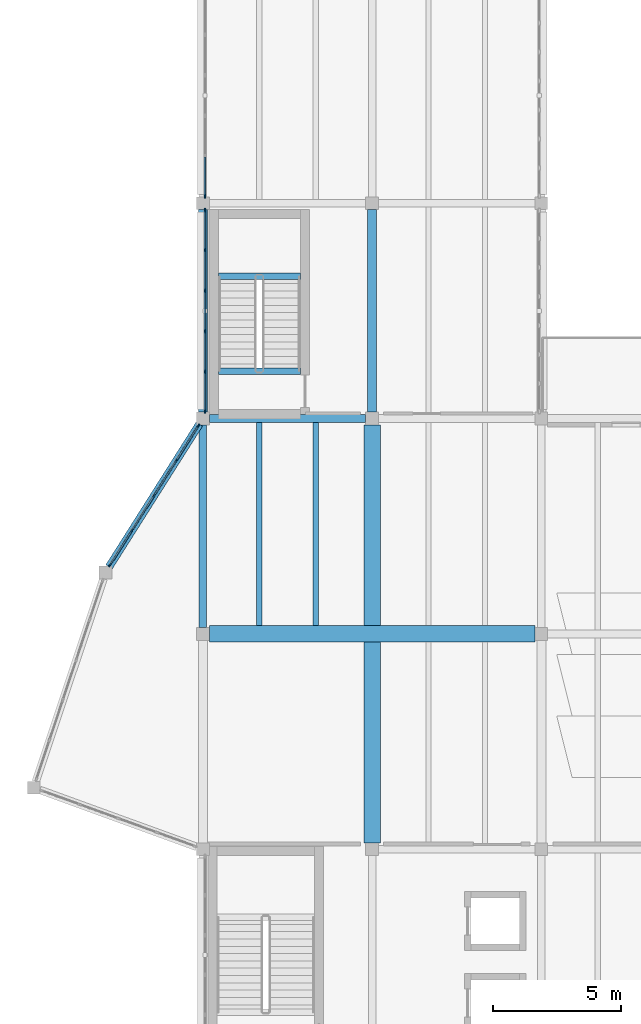
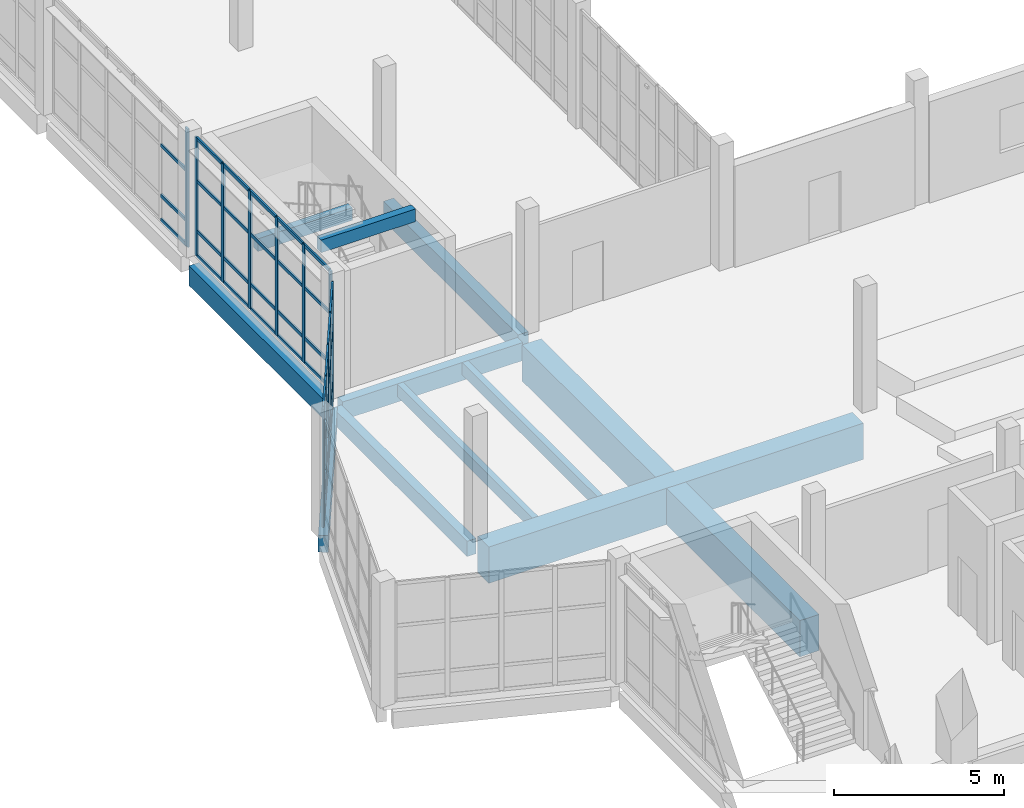
# One storey, part 23 of 76: 51 members, 11 beams, 3 elements without a shape of their own.
"""IFC4 building model written with IfcOpenShell, lengths in metres."""

from ifc_helpers import new_model, si_unit, direction, frame, origin, origin_2d, place, context, subcontext, project, spatial, rectangle, extrude, material, material_profile, profile_set, type_object, element, aggregate, save


model = new_model("IFC4")

# Units and contexts
model_context = context("Model", 3, precision=1e-05, world=origin(), true_north=direction((0.0, 1.0)))
body_context = subcontext(model_context, "Body", "Model", "MODEL_VIEW")
ifc_project = project(units=[si_unit("LENGTHUNIT", "METRE"), si_unit("AREAUNIT", "SQUARE_METRE"), si_unit("VOLUMEUNIT", "CUBIC_METRE"), si_unit("PLANEANGLEUNIT", "RADIAN"), si_unit("MASSUNIT", "GRAM", prefix="KILO")], contexts=[model_context])

# Site, building, storey
site_placement = place(None, origin())
site = spatial("IfcSite", under=ifc_project, at=site_placement, CompositionType="ELEMENT")
building_placement = place(site_placement, origin())
building = spatial("IfcBuilding", under=site, at=building_placement, Name="Qaldarim Faculty of Natural and Applied Sciences", CompositionType="ELEMENT")
storey_placement = place(building_placement, frame((0.0, 0.0, 9.89990234375)))
storey = spatial("IfcBuildingStorey", under=building, at=storey_placement, Name="L02", CompositionType="ELEMENT", Elevation=9.89990234375)

# Beams
ifc_material_1 = material(Name="Concrete C40/50", Category="concrete")
ifc_material_profile_1 = material_profile(ifc_material_1, rectangle(XDim=0.300048828125, YDim=0.550048828125, at=origin_2d()), Name="RC-B300x550")
ifc_profile_set_1 = profile_set([ifc_material_profile_1], Name="Concrete C40/50")
beam_type_1 = type_object("IfcBeamType", Name="FloorBeam-RC300x550", PredefinedType="BEAM", material=ifc_profile_set_1)
beam_1_placement = place(storey_placement, frame((151.800048828125, 75.85009765625, -0.574951171875), z_axis=(0.0, 1.0, 0.0), x_axis=(-1.0, 0.0, 0.0)))
element("IfcBeam", 1, at=beam_1_placement, inside=storey, type_object=beam_type_1, Name="Beam RC-B300x550 L01 X24/Y10-Y11", PredefinedType="BEAM", context=body_context, shape_type="SweptSolid", body=[
    extrude(rectangle(XDim=0.300048828125, YDim=0.550048828125, at=origin_2d()), origin(), (0.0, 0.0, 1.0), 7.89990234375),
])
ifc_material_profile_2 = material_profile(ifc_material_1, rectangle(XDim=0.199951171875, YDim=0.449951171875, at=origin_2d()), Name="RC-J200x450")
ifc_profile_set_2 = profile_set([ifc_material_profile_2], Name="Concrete C40/50")
beam_type_2 = type_object("IfcBeamType", Name="LabJoist-RC200x450", PredefinedType="JOIST", material=ifc_profile_set_2)
for number, where, z_axis, x_axis, name in (
    (2, (154.0, 75.925048828125, -0.52490234375), (0.0, 1.0, 0.0), (-1.0, 0.0, 0.0), "Laboratory joist L01 bay X24Y10-1"),
    (3, (156.199951171875, 75.925048828125, -0.52490234375), (0.0, 1.0, 0.0), (-1.0, 0.0, 0.0), "Laboratory joist L01 bay X24Y10-2"),
):
    element("IfcBeam", number, at=place(storey_placement, frame(where, z_axis=z_axis, x_axis=x_axis)), inside=storey, type_object=beam_type_2, Name=name, PredefinedType="JOIST", context=body_context, shape_type="SweptSolid", body=[
        extrude(rectangle(XDim=0.199951171875, YDim=0.449951171875, at=origin_2d()), origin(), (0.0, 0.0, 1.0), 7.925048828125),
    ])
ifc_material_profile_3 = material_profile(ifc_material_1, rectangle(XDim=0.25, YDim=0.449951171875, at=origin_2d()), Name="RC-LN250x450")
ifc_profile_set_3 = profile_set([ifc_material_profile_3], Name="Concrete C40/50")
beam_type_3 = type_object("IfcBeamType", Name="LandingSupportBeam-RC250x450", PredefinedType="BEAM", material=ifc_profile_set_3)
for number, where, z_axis, x_axis, name in (
    (4, (152.39990234375, 89.554931640625, 1.815185546875), (1.0, 0.0, 0.0), (0.0, 1.0, 0.0), "Stair landing support beam ST-C2 L02"),
    (5, (152.39990234375, 85.85009765625, 4.01513671875), (1.0, 0.0, 0.0), (0.0, 1.0, 0.0), "Stair arrival support beam ST-C2 L02"),
):
    element("IfcBeam", number, at=place(storey_placement, frame(where, z_axis=z_axis, x_axis=x_axis)), inside=storey, type_object=beam_type_3, Name=name, PredefinedType="BEAM", context=body_context, shape_type="SweptSolid", body=[
        extrude(rectangle(XDim=0.25, YDim=0.449951171875, at=origin_2d()), origin(), (0.0, 0.0, 1.0), 3.2001953125),
    ])

# Curtain wall, members
ifc_material_2 = material(Name="Anodised aluminium AW-6063", Category="aluminium")
curtain_wall_type = type_object("IfcCurtainWallType", Name="CurtainWallSystem-M1600", PredefinedType="USERDEFINED", material=ifc_material_2)
curtain_wall_1_placement = place(storey_placement, origin())
curtain_wall_1 = element("IfcCurtainWall", 6, at=curtain_wall_1_placement, inside=storey, type_object=curtain_wall_type, Name="Curtain wall CW-L02-W-X24Y11", ObjectType="UNITISED FACADE", PredefinedType="USERDEFINED")
ifc_material_profile_4 = material_profile(ifc_material_2, rectangle(XDim=0.06005859375, YDim=0.14990234375, at=origin_2d()), Name="ALU-M60x150")
ifc_profile_set_4 = profile_set([ifc_material_profile_4], Name="Anodised aluminium AW-6063")
member_type_1 = type_object("IfcMemberType", Name="Mullion-ALU60x150", PredefinedType="MULLION", material=ifc_profile_set_4)
member_1_placement = place(storey_placement, frame((151.8798828125, 92.125, 0.0), z_axis=(0.0, 0.0, 1.0), x_axis=(1.0, 0.0, 0.0)))
member_1 = element("IfcMember", 7, at=member_1_placement, type_object=member_type_1, Name="Mullion 1 of CW-L02-W-X24Y11", PredefinedType="MULLION", context=body_context, shape_type="SweptSolid", body=[
    extrude(rectangle(XDim=0.06005859375, YDim=0.14990234375, at=origin_2d()), origin(), (0.0, 0.0, 1.0), 4.239990234375),
])
member_2_placement = place(storey_placement, frame((151.8798828125, 90.572998046875, 0.0), z_axis=(0.0, 0.0, 1.0), x_axis=(1.0, 0.0, 0.0)))
member_2 = element("IfcMember", 8, at=member_2_placement, type_object=member_type_1, Name="Mullion 2 of CW-L02-W-X24Y11", PredefinedType="MULLION", context=body_context, shape_type="SweptSolid", body=[
    extrude(rectangle(XDim=0.06005859375, YDim=0.14990234375, at=origin_2d()), origin(), (0.0, 0.0, 1.0), 4.239990234375),
])
member_3_placement = place(storey_placement, frame((151.8798828125, 88.990966796875, 0.0), z_axis=(0.0, 0.0, 1.0), x_axis=(1.0, 0.0, 0.0)))
member_3 = element("IfcMember", 9, at=member_3_placement, type_object=member_type_1, Name="Mullion 3 of CW-L02-W-X24Y11", PredefinedType="MULLION", context=body_context, shape_type="SweptSolid", body=[
    extrude(rectangle(XDim=0.06005859375, YDim=0.14990234375, at=origin_2d()), origin(), (0.0, 0.0, 1.0), 4.239990234375),
])
member_4_placement = place(storey_placement, frame((151.8798828125, 87.408935546875, 0.0), z_axis=(0.0, 0.0, 1.0), x_axis=(1.0, 0.0, 0.0)))
member_4 = element("IfcMember", 10, at=member_4_placement, type_object=member_type_1, Name="Mullion 4 of CW-L02-W-X24Y11", PredefinedType="MULLION", context=body_context, shape_type="SweptSolid", body=[
    extrude(rectangle(XDim=0.06005859375, YDim=0.14990234375, at=origin_2d()), origin(), (0.0, 0.0, 1.0), 4.239990234375),
])
member_5_placement = place(storey_placement, frame((151.8798828125, 85.826904296875, 0.0), z_axis=(0.0, 0.0, 1.0), x_axis=(1.0, 0.0, 0.0)))
member_5 = element("IfcMember", 11, at=member_5_placement, type_object=member_type_1, Name="Mullion 5 of CW-L02-W-X24Y11", PredefinedType="MULLION", context=body_context, shape_type="SweptSolid", body=[
    extrude(rectangle(XDim=0.06005859375, YDim=0.14990234375, at=origin_2d()), origin(), (0.0, 0.0, 1.0), 4.239990234375),
])
member_6_placement = place(storey_placement, frame((151.8798828125, 84.27490234375, 0.0), z_axis=(0.0, 0.0, 1.0), x_axis=(1.0, 0.0, 0.0)))
member_6 = element("IfcMember", 12, at=member_6_placement, type_object=member_type_1, Name="Mullion 6 of CW-L02-W-X24Y11", PredefinedType="MULLION", context=body_context, shape_type="SweptSolid", body=[
    extrude(rectangle(XDim=0.06005859375, YDim=0.14990234375, at=origin_2d()), origin(), (0.0, 0.0, 1.0), 4.239990234375),
])

# Curtain wall, member
curtain_wall_2_placement = place(storey_placement, origin())
curtain_wall_2 = element("IfcCurtainWall", 13, at=curtain_wall_2_placement, inside=storey, type_object=curtain_wall_type, Name="Curtain wall CW-L02-W-X24Y12", ObjectType="UNITISED FACADE", PredefinedType="USERDEFINED")
member_7_placement = place(storey_placement, frame((151.8798828125, 92.675048828125, 0.0), z_axis=(0.0, 0.0, 1.0), x_axis=(1.0, 0.0, 0.0)))
member_7 = element("IfcMember", 14, at=member_7_placement, type_object=member_type_1, Name="Mullion 6 of CW-L02-W-X24Y12", PredefinedType="MULLION", context=body_context, shape_type="SweptSolid", body=[
    extrude(rectangle(XDim=0.06005859375, YDim=0.14990234375, at=origin_2d()), origin(), (0.0, 0.0, 1.0), 4.239990234375),
])

# Curtain wall, members
curtain_wall_3_placement = place(storey_placement, origin())
curtain_wall_3 = element("IfcCurtainWall", 15, at=curtain_wall_3_placement, inside=storey, type_object=curtain_wall_type, Name="Curtain wall CW-PROW-L02-1", ObjectType="UNITISED FACADE", PredefinedType="USERDEFINED")
member_8_placement = place(storey_placement, frame((151.623779296875, 83.7197265625, 0.0), z_axis=(0.0, 0.0, 1.0), x_axis=(0.844608368004, -0.535384632481, 0.0)))
member_8 = element("IfcMember", 16, at=member_8_placement, type_object=member_type_1, Name="Mullion 1 of CW-PROW-L02-1", PredefinedType="MULLION", context=body_context, shape_type="SweptSolid", body=[
    extrude(rectangle(XDim=0.06005859375, YDim=0.14990234375, at=origin_2d()), origin(), (0.0, 0.0, 1.0), 4.239990234375),
])
member_9_placement = place(storey_placement, frame((150.77001953125, 82.37255859375, 0.0), z_axis=(0.0, 0.0, 1.0), x_axis=(0.844608368004, -0.535384632481, 0.0)))
member_9 = element("IfcMember", 17, at=member_9_placement, type_object=member_type_1, Name="Mullion 2 of CW-PROW-L02-1", PredefinedType="MULLION", context=body_context, shape_type="SweptSolid", body=[
    extrude(rectangle(XDim=0.06005859375, YDim=0.14990234375, at=origin_2d()), origin(), (0.0, 0.0, 1.0), 4.239990234375),
])
member_10_placement = place(storey_placement, frame((149.89990234375, 81.0, 0.0), z_axis=(0.0, 0.0, 1.0), x_axis=(0.844608368004, -0.535384632481, 0.0)))
member_10 = element("IfcMember", 18, at=member_10_placement, type_object=member_type_1, Name="Mullion 3 of CW-PROW-L02-1", PredefinedType="MULLION", context=body_context, shape_type="SweptSolid", body=[
    extrude(rectangle(XDim=0.06005859375, YDim=0.14990234375, at=origin_2d()), origin(), (0.0, 0.0, 1.0), 4.239990234375),
])
member_11_placement = place(storey_placement, frame((149.030029296875, 79.62744140625, 0.0), z_axis=(0.0, 0.0, 1.0), x_axis=(0.844608368004, -0.535384632481, 0.0)))
member_11 = element("IfcMember", 19, at=member_11_placement, type_object=member_type_1, Name="Mullion 4 of CW-PROW-L02-1", PredefinedType="MULLION", context=body_context, shape_type="SweptSolid", body=[
    extrude(rectangle(XDim=0.06005859375, YDim=0.14990234375, at=origin_2d()), origin(), (0.0, 0.0, 1.0), 4.239990234375),
])
member_12_placement = place(storey_placement, frame((148.176025390625, 78.2802734375, 0.0), z_axis=(0.0, 0.0, 1.0), x_axis=(0.844608368004, -0.535384632481, 0.0)))
member_12 = element("IfcMember", 20, at=member_12_placement, type_object=member_type_1, Name="Mullion 5 of CW-PROW-L02-1", PredefinedType="MULLION", context=body_context, shape_type="SweptSolid", body=[
    extrude(rectangle(XDim=0.06005859375, YDim=0.14990234375, at=origin_2d()), origin(), (0.0, 0.0, 1.0), 4.239990234375),
])

# Beams
ifc_material_profile_5 = material_profile(ifc_material_1, rectangle(XDim=0.300048828125, YDim=0.64990234375, at=origin_2d()), Name="RC-B300x650")
ifc_profile_set_5 = profile_set([ifc_material_profile_5], Name="Concrete C40/50")
beam_type_4 = type_object("IfcBeamType", Name="PrimaryBeam-RC300x650", PredefinedType="BEAM", material=ifc_profile_set_5)
beam_2_placement = place(storey_placement, frame((152.050048828125, 84.0, -0.625), z_axis=(1.0, 0.0, 0.0), x_axis=(0.0, 1.0, 0.0)))
element("IfcBeam", 21, at=beam_2_placement, inside=storey, type_object=beam_type_4, Name="Beam RC-B300x650 L01 X24-X25/Y11", PredefinedType="BEAM", context=body_context, shape_type="SweptSolid", body=[
    extrude(rectangle(XDim=0.300048828125, YDim=0.64990234375, at=origin_2d()), origin(), (0.0, 0.0, 1.0), 6.099853515625),
])
ifc_material_profile_6 = material_profile(ifc_material_1, rectangle(XDim=0.35009765625, YDim=0.699951171875, at=origin_2d()), Name="RC-B350x700")
ifc_profile_set_6 = profile_set([ifc_material_profile_6], Name="Concrete C40/50")
beam_type_5 = type_object("IfcBeamType", Name="PrimaryGirder-RC350x700", PredefinedType="BEAM", material=ifc_profile_set_6)
for number, where, z_axis, x_axis, name in (
    (22, (151.800048828125, 84.25, -0.64990234375), (0.0, 1.0, 0.0), (-1.0, 0.0, 0.0), "Beam RC-B350x700 L01 X24/Y11-Y12"),
    (23, (158.39990234375, 84.25, -0.64990234375), (0.0, 1.0, 0.0), (-1.0, 0.0, 0.0), "Beam RC-B350x700 L01 X25/Y11-Y12"),
):
    element("IfcBeam", number, at=place(storey_placement, frame(where, z_axis=z_axis, x_axis=x_axis)), inside=storey, type_object=beam_type_5, Name=name, PredefinedType="BEAM", context=body_context, shape_type="SweptSolid", body=[
        extrude(rectangle(XDim=0.35009765625, YDim=0.699951171875, at=origin_2d()), origin(), (0.0, 0.0, 1.0), 7.89990234375),
    ])
ifc_material_3 = material(Name="Precast concrete C40/50", Category="concrete")
ifc_material_profile_7 = material_profile(ifc_material_3, rectangle(XDim=0.300048828125, YDim=0.60009765625, at=origin_2d()), Name="RC-SP300x600")
ifc_profile_set_7 = profile_set([ifc_material_profile_7], Name="Precast concrete C40/50")
beam_type_6 = type_object("IfcBeamType", Name="SpandrelBeam-RC300x600", PredefinedType="SPANDREL", material=ifc_profile_set_7)
beam_3_placement = place(storey_placement, frame((148.139892578125, 78.219970703125, -0.599853515625), z_axis=(0.534905556702, 0.844911856592, 0.0), x_axis=(-0.844911856592, 0.534905556702, 0.0)))
element("IfcBeam", 24, at=beam_3_placement, inside=storey, type_object=beam_type_6, Name="Learning Commons angled prow spandrel L01 3", PredefinedType="SPANDREL", context=body_context, shape_type="SweptSolid", body=[
    extrude(rectangle(XDim=0.300048828125, YDim=0.60009765625, at=origin_2d()), origin(), (0.0, 0.0, 1.0), 6.58056640625),
])
ifc_material_4 = material(Name="Concrete C50/60", Category="concrete")
ifc_material_profile_8 = material_profile(ifc_material_4, rectangle(XDim=0.64990234375, YDim=1.300048828125, at=origin_2d()), Name="RC-TG650x1300")
ifc_profile_set_8 = profile_set([ifc_material_profile_8], Name="Concrete C50/60")
beam_type_7 = type_object("IfcBeamType", Name="TransferGirder-RC650x1300", PredefinedType="BEAM", material=ifc_profile_set_8)
beam_4_placement = place(storey_placement, frame((152.050048828125, 75.60009765625, -0.949951171875), z_axis=(1.0, 0.0, 0.0), x_axis=(0.0, 1.0, 0.0)))
element("IfcBeam", 25, at=beam_4_placement, inside=storey, type_object=beam_type_7, Name="Long-span girder L01 Y10 X24-X26", PredefinedType="BEAM", context=body_context, shape_type="SweptSolid", body=[
    extrude(rectangle(XDim=0.64990234375, YDim=1.300048828125, at=origin_2d()), origin(), (0.0, 0.0, 1.0), 12.699951171875),
])
beam_5_placement = place(storey_placement, frame((158.39990234375, 67.449951171875, -0.949951171875), z_axis=(0.0, 1.0, 0.0), x_axis=(-1.0, 0.0, 0.0)))
element("IfcBeam", 26, at=beam_5_placement, inside=storey, type_object=beam_type_7, Name="Long-span girder L01 X25 Y09-Y11", PredefinedType="BEAM", context=body_context, shape_type="SweptSolid", body=[
    extrude(rectangle(XDim=0.64990234375, YDim=1.300048828125, at=origin_2d()), origin(), (0.0, 0.0, 1.0), 16.300048828125),
])

# Member
ifc_material_profile_9 = material_profile(ifc_material_2, rectangle(XDim=0.06005859375, YDim=0.1201171875, at=origin_2d()), Name="ALU-T60x120")
ifc_profile_set_9 = profile_set([ifc_material_profile_9], Name="Anodised aluminium AW-6063")
member_type_2 = type_object("IfcMemberType", Name="Transom-ALU60x120", PredefinedType="USERDEFINED", material=ifc_profile_set_9)
member_13_placement = place(storey_placement, frame((151.8798828125, 92.094970703125, 0.030029296875), z_axis=(0.0, -1.0, 0.0), x_axis=(1.0, 0.0, 0.0)))
member_13 = element("IfcMember", 27, at=member_13_placement, type_object=member_type_2, Name="Transom 1-1 of CW-L02-W-X24Y11", ObjectType="TRANSOM", PredefinedType="USERDEFINED", context=body_context, shape_type="SweptSolid", body=[
    extrude(rectangle(XDim=0.06005859375, YDim=0.1201171875, at=origin_2d()), origin(), (0.0, 0.0, 1.0), 1.491943359375),
])

member_14_placement = place(storey_placement, frame((151.8798828125, 92.094970703125, 0.900146484375), z_axis=(0.0, -1.0, 0.0), x_axis=(1.0, 0.0, 0.0)))
member_14 = element("IfcMember", 28, at=member_14_placement, type_object=member_type_2, Name="Transom 1-2 of CW-L02-W-X24Y11", ObjectType="TRANSOM", PredefinedType="USERDEFINED", context=body_context, shape_type="SweptSolid", body=[
    extrude(rectangle(XDim=0.06005859375, YDim=0.1201171875, at=origin_2d()), origin(), (0.0, 0.0, 1.0), 1.491943359375),
])

member_15_placement = place(storey_placement, frame((151.8798828125, 92.094970703125, 2.7001953125), z_axis=(0.0, -1.0, 0.0), x_axis=(1.0, 0.0, 0.0)))
member_15 = element("IfcMember", 29, at=member_15_placement, type_object=member_type_2, Name="Transom 1-3 of CW-L02-W-X24Y11", ObjectType="TRANSOM", PredefinedType="USERDEFINED", context=body_context, shape_type="SweptSolid", body=[
    extrude(rectangle(XDim=0.06005859375, YDim=0.1201171875, at=origin_2d()), origin(), (0.0, 0.0, 1.0), 1.491943359375),
])

member_16_placement = place(storey_placement, frame((151.8798828125, 92.094970703125, 4.210205078125), z_axis=(0.0, -1.0, 0.0), x_axis=(1.0, 0.0, 0.0)))
member_16 = element("IfcMember", 30, at=member_16_placement, type_object=member_type_2, Name="Transom 1-4 of CW-L02-W-X24Y11", ObjectType="TRANSOM", PredefinedType="USERDEFINED", context=body_context, shape_type="SweptSolid", body=[
    extrude(rectangle(XDim=0.06005859375, YDim=0.1201171875, at=origin_2d()), origin(), (0.0, 0.0, 1.0), 1.491943359375),
])

member_17_placement = place(storey_placement, frame((151.8798828125, 90.54296875, 0.030029296875), z_axis=(0.0, -1.0, 0.0), x_axis=(1.0, 0.0, 0.0)))
member_17 = element("IfcMember", 31, at=member_17_placement, type_object=member_type_2, Name="Transom 2-1 of CW-L02-W-X24Y11", ObjectType="TRANSOM", PredefinedType="USERDEFINED", context=body_context, shape_type="SweptSolid", body=[
    extrude(rectangle(XDim=0.06005859375, YDim=0.1201171875, at=origin_2d()), origin(), (0.0, 0.0, 1.0), 1.52197265625),
])

member_18_placement = place(storey_placement, frame((151.8798828125, 90.54296875, 0.900146484375), z_axis=(0.0, -1.0, 0.0), x_axis=(1.0, 0.0, 0.0)))
member_18 = element("IfcMember", 32, at=member_18_placement, type_object=member_type_2, Name="Transom 2-2 of CW-L02-W-X24Y11", ObjectType="TRANSOM", PredefinedType="USERDEFINED", context=body_context, shape_type="SweptSolid", body=[
    extrude(rectangle(XDim=0.06005859375, YDim=0.1201171875, at=origin_2d()), origin(), (0.0, 0.0, 1.0), 1.52197265625),
])

member_19_placement = place(storey_placement, frame((151.8798828125, 90.54296875, 2.7001953125), z_axis=(0.0, -1.0, 0.0), x_axis=(1.0, 0.0, 0.0)))
member_19 = element("IfcMember", 33, at=member_19_placement, type_object=member_type_2, Name="Transom 2-3 of CW-L02-W-X24Y11", ObjectType="TRANSOM", PredefinedType="USERDEFINED", context=body_context, shape_type="SweptSolid", body=[
    extrude(rectangle(XDim=0.06005859375, YDim=0.1201171875, at=origin_2d()), origin(), (0.0, 0.0, 1.0), 1.52197265625),
])

member_20_placement = place(storey_placement, frame((151.8798828125, 90.54296875, 4.210205078125), z_axis=(0.0, -1.0, 0.0), x_axis=(1.0, 0.0, 0.0)))
member_20 = element("IfcMember", 34, at=member_20_placement, type_object=member_type_2, Name="Transom 2-4 of CW-L02-W-X24Y11", ObjectType="TRANSOM", PredefinedType="USERDEFINED", context=body_context, shape_type="SweptSolid", body=[
    extrude(rectangle(XDim=0.06005859375, YDim=0.1201171875, at=origin_2d()), origin(), (0.0, 0.0, 1.0), 1.52197265625),
])

member_21_placement = place(storey_placement, frame((151.8798828125, 88.9609375, 0.030029296875), z_axis=(0.0, -1.0, 0.0), x_axis=(1.0, 0.0, 0.0)))
member_21 = element("IfcMember", 35, at=member_21_placement, type_object=member_type_2, Name="Transom 3-1 of CW-L02-W-X24Y11", ObjectType="TRANSOM", PredefinedType="USERDEFINED", context=body_context, shape_type="SweptSolid", body=[
    extrude(rectangle(XDim=0.06005859375, YDim=0.1201171875, at=origin_2d()), origin(), (0.0, 0.0, 1.0), 1.52197265625),
])

member_22_placement = place(storey_placement, frame((151.8798828125, 88.9609375, 0.900146484375), z_axis=(0.0, -1.0, 0.0), x_axis=(1.0, 0.0, 0.0)))
member_22 = element("IfcMember", 36, at=member_22_placement, type_object=member_type_2, Name="Transom 3-2 of CW-L02-W-X24Y11", ObjectType="TRANSOM", PredefinedType="USERDEFINED", context=body_context, shape_type="SweptSolid", body=[
    extrude(rectangle(XDim=0.06005859375, YDim=0.1201171875, at=origin_2d()), origin(), (0.0, 0.0, 1.0), 1.52197265625),
])

member_23_placement = place(storey_placement, frame((151.8798828125, 88.9609375, 2.7001953125), z_axis=(0.0, -1.0, 0.0), x_axis=(1.0, 0.0, 0.0)))
member_23 = element("IfcMember", 37, at=member_23_placement, type_object=member_type_2, Name="Transom 3-3 of CW-L02-W-X24Y11", ObjectType="TRANSOM", PredefinedType="USERDEFINED", context=body_context, shape_type="SweptSolid", body=[
    extrude(rectangle(XDim=0.06005859375, YDim=0.1201171875, at=origin_2d()), origin(), (0.0, 0.0, 1.0), 1.52197265625),
])

member_24_placement = place(storey_placement, frame((151.8798828125, 88.9609375, 4.210205078125), z_axis=(0.0, -1.0, 0.0), x_axis=(1.0, 0.0, 0.0)))
member_24 = element("IfcMember", 38, at=member_24_placement, type_object=member_type_2, Name="Transom 3-4 of CW-L02-W-X24Y11", ObjectType="TRANSOM", PredefinedType="USERDEFINED", context=body_context, shape_type="SweptSolid", body=[
    extrude(rectangle(XDim=0.06005859375, YDim=0.1201171875, at=origin_2d()), origin(), (0.0, 0.0, 1.0), 1.52197265625),
])

member_25_placement = place(storey_placement, frame((151.8798828125, 87.37890625, 0.030029296875), z_axis=(0.0, -1.0, 0.0), x_axis=(1.0, 0.0, 0.0)))
member_25 = element("IfcMember", 39, at=member_25_placement, type_object=member_type_2, Name="Transom 4-1 of CW-L02-W-X24Y11", ObjectType="TRANSOM", PredefinedType="USERDEFINED", context=body_context, shape_type="SweptSolid", body=[
    extrude(rectangle(XDim=0.06005859375, YDim=0.1201171875, at=origin_2d()), origin(), (0.0, 0.0, 1.0), 1.52197265625),
])

member_26_placement = place(storey_placement, frame((151.8798828125, 87.37890625, 0.900146484375), z_axis=(0.0, -1.0, 0.0), x_axis=(1.0, 0.0, 0.0)))
member_26 = element("IfcMember", 40, at=member_26_placement, type_object=member_type_2, Name="Transom 4-2 of CW-L02-W-X24Y11", ObjectType="TRANSOM", PredefinedType="USERDEFINED", context=body_context, shape_type="SweptSolid", body=[
    extrude(rectangle(XDim=0.06005859375, YDim=0.1201171875, at=origin_2d()), origin(), (0.0, 0.0, 1.0), 1.52197265625),
])

member_27_placement = place(storey_placement, frame((151.8798828125, 87.37890625, 2.7001953125), z_axis=(0.0, -1.0, 0.0), x_axis=(1.0, 0.0, 0.0)))
member_27 = element("IfcMember", 41, at=member_27_placement, type_object=member_type_2, Name="Transom 4-3 of CW-L02-W-X24Y11", ObjectType="TRANSOM", PredefinedType="USERDEFINED", context=body_context, shape_type="SweptSolid", body=[
    extrude(rectangle(XDim=0.06005859375, YDim=0.1201171875, at=origin_2d()), origin(), (0.0, 0.0, 1.0), 1.52197265625),
])

member_28_placement = place(storey_placement, frame((151.8798828125, 87.37890625, 4.210205078125), z_axis=(0.0, -1.0, 0.0), x_axis=(1.0, 0.0, 0.0)))
member_28 = element("IfcMember", 42, at=member_28_placement, type_object=member_type_2, Name="Transom 4-4 of CW-L02-W-X24Y11", ObjectType="TRANSOM", PredefinedType="USERDEFINED", context=body_context, shape_type="SweptSolid", body=[
    extrude(rectangle(XDim=0.06005859375, YDim=0.1201171875, at=origin_2d()), origin(), (0.0, 0.0, 1.0), 1.52197265625),
])

member_29_placement = place(storey_placement, frame((151.8798828125, 85.797119140625, 0.030029296875), z_axis=(0.0, -1.0, 0.0), x_axis=(1.0, 0.0, 0.0)))
member_29 = element("IfcMember", 43, at=member_29_placement, type_object=member_type_2, Name="Transom 5-1 of CW-L02-W-X24Y11", ObjectType="TRANSOM", PredefinedType="USERDEFINED", context=body_context, shape_type="SweptSolid", body=[
    extrude(rectangle(XDim=0.06005859375, YDim=0.1201171875, at=origin_2d()), origin(), (0.0, 0.0, 1.0), 1.4921875),
])

member_30_placement = place(storey_placement, frame((151.8798828125, 85.797119140625, 0.900146484375), z_axis=(0.0, -1.0, 0.0), x_axis=(1.0, 0.0, 0.0)))
member_30 = element("IfcMember", 44, at=member_30_placement, type_object=member_type_2, Name="Transom 5-2 of CW-L02-W-X24Y11", ObjectType="TRANSOM", PredefinedType="USERDEFINED", context=body_context, shape_type="SweptSolid", body=[
    extrude(rectangle(XDim=0.06005859375, YDim=0.1201171875, at=origin_2d()), origin(), (0.0, 0.0, 1.0), 1.4921875),
])

member_31_placement = place(storey_placement, frame((151.8798828125, 85.797119140625, 2.7001953125), z_axis=(0.0, -1.0, 0.0), x_axis=(1.0, 0.0, 0.0)))
member_31 = element("IfcMember", 45, at=member_31_placement, type_object=member_type_2, Name="Transom 5-3 of CW-L02-W-X24Y11", ObjectType="TRANSOM", PredefinedType="USERDEFINED", context=body_context, shape_type="SweptSolid", body=[
    extrude(rectangle(XDim=0.06005859375, YDim=0.1201171875, at=origin_2d()), origin(), (0.0, 0.0, 1.0), 1.4921875),
])

member_32_placement = place(storey_placement, frame((151.8798828125, 85.797119140625, 4.210205078125), z_axis=(0.0, -1.0, 0.0), x_axis=(1.0, 0.0, 0.0)))
member_32 = element("IfcMember", 46, at=member_32_placement, type_object=member_type_2, Name="Transom 5-4 of CW-L02-W-X24Y11", ObjectType="TRANSOM", PredefinedType="USERDEFINED", context=body_context, shape_type="SweptSolid", body=[
    extrude(rectangle(XDim=0.06005859375, YDim=0.1201171875, at=origin_2d()), origin(), (0.0, 0.0, 1.0), 1.4921875),
])

aggregate(curtain_wall_1, [member_1, member_2, member_3, member_4, member_5, member_6, member_13, member_14, member_15, member_16, member_17, member_18, member_19, member_20, member_21, member_22, member_23, member_24, member_25, member_26, member_27, member_28, member_29, member_30, member_31, member_32])

member_33_placement = place(storey_placement, frame((151.8798828125, 94.197021484375, 0.030029296875), z_axis=(0.0, -1.0, 0.0), x_axis=(1.0, 0.0, 0.0)))
member_33 = element("IfcMember", 47, at=member_33_placement, type_object=member_type_2, Name="Transom 5-1 of CW-L02-W-X24Y12", ObjectType="TRANSOM", PredefinedType="USERDEFINED", context=body_context, shape_type="SweptSolid", body=[
    extrude(rectangle(XDim=0.06005859375, YDim=0.1201171875, at=origin_2d()), origin(), (0.0, 0.0, 1.0), 1.491943359375),
])

member_34_placement = place(storey_placement, frame((151.8798828125, 94.197021484375, 0.900146484375), z_axis=(0.0, -1.0, 0.0), x_axis=(1.0, 0.0, 0.0)))
member_34 = element("IfcMember", 48, at=member_34_placement, type_object=member_type_2, Name="Transom 5-2 of CW-L02-W-X24Y12", ObjectType="TRANSOM", PredefinedType="USERDEFINED", context=body_context, shape_type="SweptSolid", body=[
    extrude(rectangle(XDim=0.06005859375, YDim=0.1201171875, at=origin_2d()), origin(), (0.0, 0.0, 1.0), 1.491943359375),
])

member_35_placement = place(storey_placement, frame((151.8798828125, 94.197021484375, 2.7001953125), z_axis=(0.0, -1.0, 0.0), x_axis=(1.0, 0.0, 0.0)))
member_35 = element("IfcMember", 49, at=member_35_placement, type_object=member_type_2, Name="Transom 5-3 of CW-L02-W-X24Y12", ObjectType="TRANSOM", PredefinedType="USERDEFINED", context=body_context, shape_type="SweptSolid", body=[
    extrude(rectangle(XDim=0.06005859375, YDim=0.1201171875, at=origin_2d()), origin(), (0.0, 0.0, 1.0), 1.491943359375),
])

aggregate(curtain_wall_2, [member_7, member_33, member_34, member_35])

member_36_placement = place(storey_placement, frame((151.60791015625, 83.6943359375, 0.030029296875), z_axis=(-0.535320690272, -0.844648896623, 0.0), x_axis=(0.844648896623, -0.535320690272, 0.0)))
member_36 = element("IfcMember", 50, at=member_36_placement, type_object=member_type_2, Name="Transom 1-1 of CW-PROW-L02-1", ObjectType="TRANSOM", PredefinedType="USERDEFINED", context=body_context, shape_type="SweptSolid", body=[
    extrude(rectangle(XDim=0.06005859375, YDim=0.1201171875, at=origin_2d()), origin(), (0.0, 0.0, 1.0), 1.53515625),
])

member_37_placement = place(storey_placement, frame((151.60791015625, 83.6943359375, 0.900146484375), z_axis=(-0.535320690272, -0.844648896623, 0.0), x_axis=(0.844648896623, -0.535320690272, 0.0)))
member_37 = element("IfcMember", 51, at=member_37_placement, type_object=member_type_2, Name="Transom 1-2 of CW-PROW-L02-1", ObjectType="TRANSOM", PredefinedType="USERDEFINED", context=body_context, shape_type="SweptSolid", body=[
    extrude(rectangle(XDim=0.06005859375, YDim=0.1201171875, at=origin_2d()), origin(), (0.0, 0.0, 1.0), 1.53515625),
])

member_38_placement = place(storey_placement, frame((151.60791015625, 83.6943359375, 2.7001953125), z_axis=(-0.535320690272, -0.844648896623, 0.0), x_axis=(0.844648896623, -0.535320690272, 0.0)))
member_38 = element("IfcMember", 52, at=member_38_placement, type_object=member_type_2, Name="Transom 1-3 of CW-PROW-L02-1", ObjectType="TRANSOM", PredefinedType="USERDEFINED", context=body_context, shape_type="SweptSolid", body=[
    extrude(rectangle(XDim=0.06005859375, YDim=0.1201171875, at=origin_2d()), origin(), (0.0, 0.0, 1.0), 1.53515625),
])

member_39_placement = place(storey_placement, frame((151.60791015625, 83.6943359375, 4.210205078125), z_axis=(-0.535320690272, -0.844648896623, 0.0), x_axis=(0.844648896623, -0.535320690272, 0.0)))
member_39 = element("IfcMember", 53, at=member_39_placement, type_object=member_type_2, Name="Transom 1-4 of CW-PROW-L02-1", ObjectType="TRANSOM", PredefinedType="USERDEFINED", context=body_context, shape_type="SweptSolid", body=[
    extrude(rectangle(XDim=0.06005859375, YDim=0.1201171875, at=origin_2d()), origin(), (0.0, 0.0, 1.0), 1.53515625),
])

member_40_placement = place(storey_placement, frame((150.75390625, 82.34716796875, 0.030029296875), z_axis=(-0.535400907346, -0.844598051391, 0.0), x_axis=(0.844598051391, -0.535400907346, 0.0)))
member_40 = element("IfcMember", 54, at=member_40_placement, type_object=member_type_2, Name="Transom 2-1 of CW-PROW-L02-1", ObjectType="TRANSOM", PredefinedType="USERDEFINED", context=body_context, shape_type="SweptSolid", body=[
    extrude(rectangle(XDim=0.06005859375, YDim=0.1201171875, at=origin_2d()), origin(), (0.0, 0.0, 1.0), 1.56494140625),
])

member_41_placement = place(storey_placement, frame((150.75390625, 82.34716796875, 0.900146484375), z_axis=(-0.535400907346, -0.844598051391, 0.0), x_axis=(0.844598051391, -0.535400907346, 0.0)))
member_41 = element("IfcMember", 55, at=member_41_placement, type_object=member_type_2, Name="Transom 2-2 of CW-PROW-L02-1", ObjectType="TRANSOM", PredefinedType="USERDEFINED", context=body_context, shape_type="SweptSolid", body=[
    extrude(rectangle(XDim=0.06005859375, YDim=0.1201171875, at=origin_2d()), origin(), (0.0, 0.0, 1.0), 1.56494140625),
])

member_42_placement = place(storey_placement, frame((150.75390625, 82.34716796875, 2.7001953125), z_axis=(-0.535400907346, -0.844598051391, 0.0), x_axis=(0.844598051391, -0.535400907346, 0.0)))
member_42 = element("IfcMember", 56, at=member_42_placement, type_object=member_type_2, Name="Transom 2-3 of CW-PROW-L02-1", ObjectType="TRANSOM", PredefinedType="USERDEFINED", context=body_context, shape_type="SweptSolid", body=[
    extrude(rectangle(XDim=0.06005859375, YDim=0.1201171875, at=origin_2d()), origin(), (0.0, 0.0, 1.0), 1.56494140625),
])

member_43_placement = place(storey_placement, frame((150.75390625, 82.34716796875, 4.210205078125), z_axis=(-0.535400907346, -0.844598051391, 0.0), x_axis=(0.844598051391, -0.535400907346, 0.0)))
member_43 = element("IfcMember", 57, at=member_43_placement, type_object=member_type_2, Name="Transom 2-4 of CW-PROW-L02-1", ObjectType="TRANSOM", PredefinedType="USERDEFINED", context=body_context, shape_type="SweptSolid", body=[
    extrude(rectangle(XDim=0.06005859375, YDim=0.1201171875, at=origin_2d()), origin(), (0.0, 0.0, 1.0), 1.56494140625),
])

member_44_placement = place(storey_placement, frame((149.8837890625, 80.974609375, 0.030029296875), z_axis=(-0.535289609596, -0.8446685941, 0.0), x_axis=(0.8446685941, -0.535289609596, 0.0)))
member_44 = element("IfcMember", 58, at=member_44_placement, type_object=member_type_2, Name="Transom 3-1 of CW-PROW-L02-1", ObjectType="TRANSOM", PredefinedType="USERDEFINED", context=body_context, shape_type="SweptSolid", body=[
    extrude(rectangle(XDim=0.06005859375, YDim=0.1201171875, at=origin_2d()), origin(), (0.0, 0.0, 1.0), 1.56494140625),
])

member_45_placement = place(storey_placement, frame((149.8837890625, 80.974609375, 0.900146484375), z_axis=(-0.535289609596, -0.8446685941, 0.0), x_axis=(0.8446685941, -0.535289609596, 0.0)))
member_45 = element("IfcMember", 59, at=member_45_placement, type_object=member_type_2, Name="Transom 3-2 of CW-PROW-L02-1", ObjectType="TRANSOM", PredefinedType="USERDEFINED", context=body_context, shape_type="SweptSolid", body=[
    extrude(rectangle(XDim=0.06005859375, YDim=0.1201171875, at=origin_2d()), origin(), (0.0, 0.0, 1.0), 1.56494140625),
])

member_46_placement = place(storey_placement, frame((149.8837890625, 80.974609375, 2.7001953125), z_axis=(-0.535289609596, -0.8446685941, 0.0), x_axis=(0.8446685941, -0.535289609596, 0.0)))
member_46 = element("IfcMember", 60, at=member_46_placement, type_object=member_type_2, Name="Transom 3-3 of CW-PROW-L02-1", ObjectType="TRANSOM", PredefinedType="USERDEFINED", context=body_context, shape_type="SweptSolid", body=[
    extrude(rectangle(XDim=0.06005859375, YDim=0.1201171875, at=origin_2d()), origin(), (0.0, 0.0, 1.0), 1.56494140625),
])

member_47_placement = place(storey_placement, frame((149.8837890625, 80.974609375, 4.210205078125), z_axis=(-0.535289609596, -0.8446685941, 0.0), x_axis=(0.8446685941, -0.535289609596, 0.0)))
member_47 = element("IfcMember", 61, at=member_47_placement, type_object=member_type_2, Name="Transom 3-4 of CW-PROW-L02-1", ObjectType="TRANSOM", PredefinedType="USERDEFINED", context=body_context, shape_type="SweptSolid", body=[
    extrude(rectangle(XDim=0.06005859375, YDim=0.1201171875, at=origin_2d()), origin(), (0.0, 0.0, 1.0), 1.56494140625),
])

member_48_placement = place(storey_placement, frame((149.013916015625, 79.602294921875, 0.030029296875), z_axis=(-0.535320690272, -0.844648896623, 0.0), x_axis=(0.844648896623, -0.535320690272, 0.0)))
member_48 = element("IfcMember", 62, at=member_48_placement, type_object=member_type_2, Name="Transom 4-1 of CW-PROW-L02-1", ObjectType="TRANSOM", PredefinedType="USERDEFINED", context=body_context, shape_type="SweptSolid", body=[
    extrude(rectangle(XDim=0.06005859375, YDim=0.1201171875, at=origin_2d()), origin(), (0.0, 0.0, 1.0), 1.53515625),
])

member_49_placement = place(storey_placement, frame((149.013916015625, 79.602294921875, 0.900146484375), z_axis=(-0.535320690272, -0.844648896623, 0.0), x_axis=(0.844648896623, -0.535320690272, 0.0)))
member_49 = element("IfcMember", 63, at=member_49_placement, type_object=member_type_2, Name="Transom 4-2 of CW-PROW-L02-1", ObjectType="TRANSOM", PredefinedType="USERDEFINED", context=body_context, shape_type="SweptSolid", body=[
    extrude(rectangle(XDim=0.06005859375, YDim=0.1201171875, at=origin_2d()), origin(), (0.0, 0.0, 1.0), 1.53515625),
])

member_50_placement = place(storey_placement, frame((149.013916015625, 79.602294921875, 2.7001953125), z_axis=(-0.535320690272, -0.844648896623, 0.0), x_axis=(0.844648896623, -0.535320690272, 0.0)))
member_50 = element("IfcMember", 64, at=member_50_placement, type_object=member_type_2, Name="Transom 4-3 of CW-PROW-L02-1", ObjectType="TRANSOM", PredefinedType="USERDEFINED", context=body_context, shape_type="SweptSolid", body=[
    extrude(rectangle(XDim=0.06005859375, YDim=0.1201171875, at=origin_2d()), origin(), (0.0, 0.0, 1.0), 1.53515625),
])

member_51_placement = place(storey_placement, frame((149.013916015625, 79.602294921875, 4.210205078125), z_axis=(-0.535320690272, -0.844648896623, 0.0), x_axis=(0.844648896623, -0.535320690272, 0.0)))
member_51 = element("IfcMember", 65, at=member_51_placement, type_object=member_type_2, Name="Transom 4-4 of CW-PROW-L02-1", ObjectType="TRANSOM", PredefinedType="USERDEFINED", context=body_context, shape_type="SweptSolid", body=[
    extrude(rectangle(XDim=0.06005859375, YDim=0.1201171875, at=origin_2d()), origin(), (0.0, 0.0, 1.0), 1.53515625),
])

aggregate(curtain_wall_3, [member_8, member_9, member_10, member_11, member_12, member_36, member_37, member_38, member_39, member_40, member_41, member_42, member_43, member_44, member_45, member_46, member_47, member_48, member_49, member_50, member_51])

save(model, "model.ifc")
